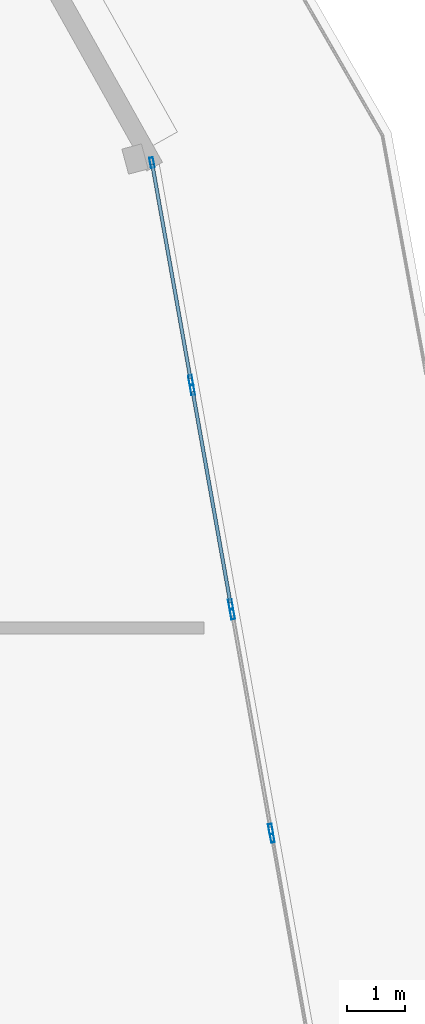
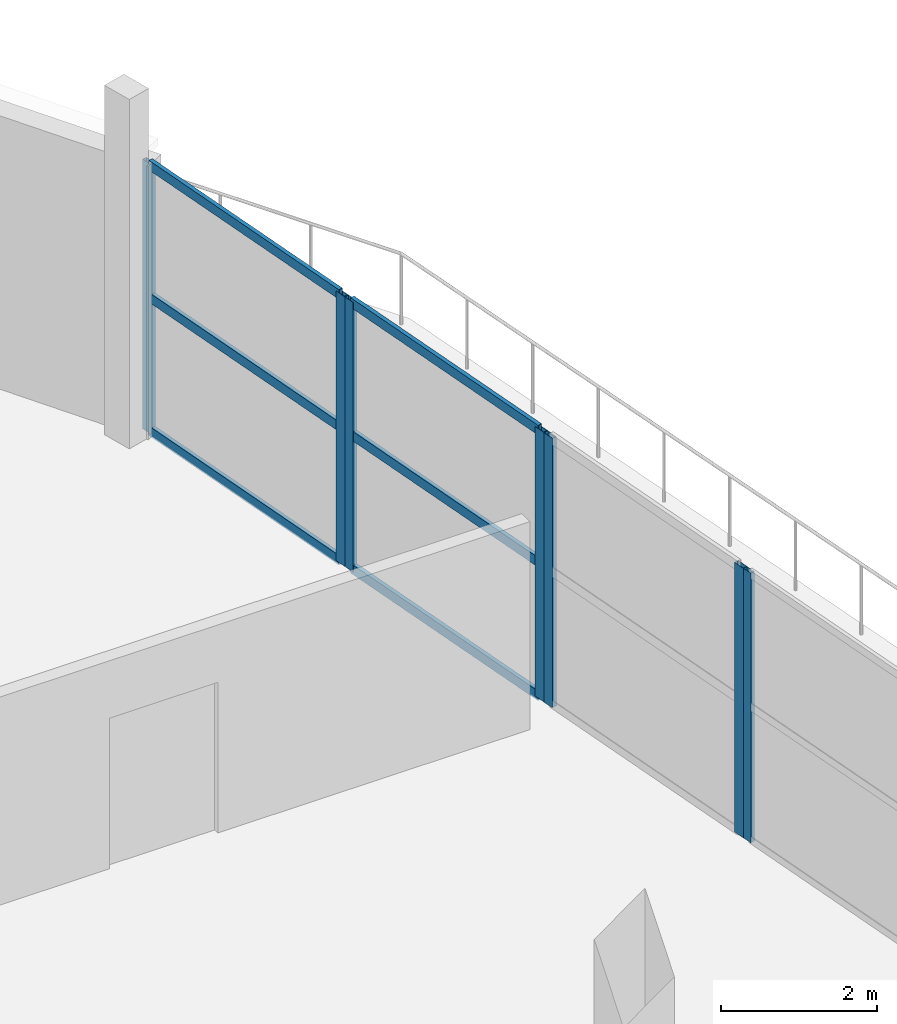
# One storey, part 68 of 123: 13 members, 4 elements without a shape of their own.
"""IFC4 building model written with IfcOpenShell, lengths in metres."""

from ifc_helpers import new_model, si_unit, direction, frame, origin, origin_2d, place, context, subcontext, project, spatial, hollow_rectangle, extrude, material, layer, layer_set, material_profile, profile_set, type_object, element, aggregate, save


model = new_model("IFC4")

# Units and contexts
model_context = context("Model", 3, precision=1e-05, world=origin(), true_north=direction((0.0, 1.0)))
body_context = subcontext(model_context, "Body", "Model", "MODEL_VIEW")
ifc_project = project(units=[si_unit("LENGTHUNIT", "METRE"), si_unit("AREAUNIT", "SQUARE_METRE"), si_unit("VOLUMEUNIT", "CUBIC_METRE"), si_unit("PLANEANGLEUNIT", "RADIAN"), si_unit("MASSUNIT", "GRAM", prefix="KILO")], contexts=[model_context])

# Site, building, storey
site_placement = place(None, origin())
site = spatial("IfcSite", under=ifc_project, at=site_placement, CompositionType="ELEMENT")
building_placement = place(site_placement, origin())
building = spatial("IfcBuilding", under=site, at=building_placement, Name="Kalgoora Escarpment Arena", CompositionType="ELEMENT")
storey_placement = place(building_placement, frame((0.0, 0.0, 9.89990234375)))
storey = spatial("IfcBuildingStorey", under=building, at=storey_placement, Name="L02", CompositionType="ELEMENT", Elevation=9.89990234375)

# Curtain wall, member
ifc_material_1 = material(Name=" Champagne anodised aluminium & double-glazed low-E", Category="aluminium")
ifc_layer_1 = layer(ifc_material_1, 0.154052734375)
ifc_layer_set_1 = layer_set([ifc_layer_1], Name="CW-UNIT-11")
curtain_wall_type_1 = type_object("IfcCurtainWallType", Name="CW-UNIT-11", PredefinedType="NOTDEFINED", material=ifc_layer_set_1)
curtain_wall_1_placement = place(storey_placement, origin())
curtain_wall_1 = element("IfcCurtainWall", 1, at=curtain_wall_1_placement, inside=storey, type_object=curtain_wall_type_1, Name="L02 unitised facade curtain wall 090", PredefinedType="NOTDEFINED")
ifc_material_2 = material(Name="Anodised aluminium 6063-T6", Category="aluminium")
ifc_material_profile_1 = material_profile(ifc_material_2, hollow_rectangle(XDim=0.06005859375, YDim=0.14990234375, WallThickness=0.00341796875, at=origin_2d()))
ifc_profile_set_1 = profile_set([ifc_material_profile_1], Name="Anodised aluminium 6063-T6")
member_type_1 = type_object("IfcMemberType", Name="MEM-CW-MULL-150", PredefinedType="MULLION", material=ifc_profile_set_1)
member_1_placement = place(storey_placement, frame((174.373779296875, 67.9541015625, 0.02001953125), z_axis=(0.0, 0.0, 1.0), x_axis=(0.984507606176, 0.175341875723, 0.0)))
member_1 = element("IfcMember", 2, at=member_1_placement, type_object=member_type_1, Name="CW-11 mullion 1", PredefinedType="MULLION", context=body_context, shape_type="SweptSolid", body=[
    extrude(hollow_rectangle(XDim=0.06005859375, YDim=0.14990234375, WallThickness=0.00341796875, at=origin_2d()), origin(), (0.0, 0.0, 1.0), 4.205078125),
])
aggregate(curtain_wall_1, [member_1])

# Curtain wall, members
ifc_material_3 = material(Name=" Champagne anodised aluminium & double-glazed low-E", Category="aluminium")
ifc_layer_2 = layer(ifc_material_3, 0.162109375)
ifc_layer_set_2 = layer_set([ifc_layer_2], Name="CW-UNIT-08")
curtain_wall_type_2 = type_object("IfcCurtainWallType", Name="CW-UNIT-08", PredefinedType="NOTDEFINED", material=ifc_layer_set_2)
curtain_wall_2_placement = place(storey_placement, origin())
curtain_wall_2 = element("IfcCurtainWall", 3, at=curtain_wall_2_placement, inside=storey, type_object=curtain_wall_type_2, Name="L02 unitised facade curtain wall 087", PredefinedType="NOTDEFINED")
ifc_material_4 = material(Name="Anodised aluminium 6063-T6", Category="aluminium")
ifc_material_profile_2 = material_profile(ifc_material_4, hollow_rectangle(XDim=0.06494140625, YDim=0.179931640625, WallThickness=0.00390625, at=origin_2d()))
ifc_profile_set_2 = profile_set([ifc_material_profile_2], Name="Anodised aluminium 6063-T6")
member_type_2 = type_object("IfcMemberType", Name="MEM-CW-MULL-180", PredefinedType="MULLION", material=ifc_profile_set_2)
member_2_placement = place(storey_placement, frame((172.2861328125, 79.6748046875, 0.02001953125), z_axis=(0.0, 0.0, 1.0), x_axis=(0.984506818355, 0.175346299115, 0.0)))
member_2 = element("IfcMember", 4, at=member_2_placement, type_object=member_type_2, Name="CW-08 mullion 1", PredefinedType="MULLION", context=body_context, shape_type="SweptSolid", body=[
    extrude(hollow_rectangle(XDim=0.06494140625, YDim=0.179931640625, WallThickness=0.00390625, at=origin_2d()), origin(), (0.0, 0.0, 1.0), 4.205078125),
])
member_3_placement = place(storey_placement, frame((172.958984375, 75.896728515625, 0.02001953125), z_axis=(0.0, 0.0, 1.0), x_axis=(0.984506818355, 0.175346299115, 0.0)))
member_3 = element("IfcMember", 5, at=member_3_placement, type_object=member_type_2, Name="CW-08 mullion 2", PredefinedType="MULLION", context=body_context, shape_type="SweptSolid", body=[
    extrude(hollow_rectangle(XDim=0.06494140625, YDim=0.179931640625, WallThickness=0.00390625, at=origin_2d()), origin(), (0.0, 0.0, 1.0), 4.205078125),
])

ifc_material_5 = material(Name=" Champagne anodised aluminium & double-glazed low-E", Category="aluminium")
ifc_layer_3 = layer(ifc_material_5, 0.166015625)
ifc_layer_set_3 = layer_set([ifc_layer_3], Name="CW-UNIT-09")
curtain_wall_type_3 = type_object("IfcCurtainWallType", Name="CW-UNIT-09", PredefinedType="NOTDEFINED", material=ifc_layer_set_3)
curtain_wall_3_placement = place(storey_placement, origin())
curtain_wall_3 = element("IfcCurtainWall", 6, at=curtain_wall_3_placement, inside=storey, type_object=curtain_wall_type_3, Name="L02 unitised facade curtain wall 088", PredefinedType="NOTDEFINED")
member_4_placement = place(storey_placement, frame((172.988037109375, 75.734130859375, 0.02001953125), z_axis=(0.0, 0.0, 1.0), x_axis=(0.984508485128, 0.175336940518, 0.0)))
member_4 = element("IfcMember", 7, at=member_4_placement, type_object=member_type_2, Name="CW-09 mullion 1", PredefinedType="MULLION", context=body_context, shape_type="SweptSolid", body=[
    extrude(hollow_rectangle(XDim=0.06494140625, YDim=0.179931640625, WallThickness=0.00390625, at=origin_2d()), origin(), (0.0, 0.0, 1.0), 4.205078125),
])
member_5_placement = place(storey_placement, frame((173.652099609375, 72.00537109375, 0.02001953125), z_axis=(0.0, 0.0, 1.0), x_axis=(0.984508485128, 0.175336940518, 0.0)))
member_5 = element("IfcMember", 8, at=member_5_placement, type_object=member_type_2, Name="CW-09 mullion 2", PredefinedType="MULLION", context=body_context, shape_type="SweptSolid", body=[
    extrude(hollow_rectangle(XDim=0.06494140625, YDim=0.179931640625, WallThickness=0.00390625, at=origin_2d()), origin(), (0.0, 0.0, 1.0), 4.205078125),
])

ifc_material_6 = material(Name=" Champagne anodised aluminium & double-glazed low-E", Category="aluminium")
ifc_layer_4 = layer(ifc_material_6, 0.14990234375)
ifc_layer_set_4 = layer_set([ifc_layer_4], Name="CW-UNIT-10")
curtain_wall_type_4 = type_object("IfcCurtainWallType", Name="CW-UNIT-10", PredefinedType="NOTDEFINED", material=ifc_layer_set_4)
curtain_wall_4_placement = place(storey_placement, origin())
curtain_wall_4 = element("IfcCurtainWall", 9, at=curtain_wall_4_placement, inside=storey, type_object=curtain_wall_type_4, Name="L02 unitised facade curtain wall 089", PredefinedType="NOTDEFINED")
member_6_placement = place(storey_placement, frame((173.68115234375, 71.843017578125, 0.02001953125), z_axis=(0.0, 0.0, 1.0), x_axis=(0.984508485128, 0.175336940518, 0.0)))
member_6 = element("IfcMember", 10, at=member_6_placement, type_object=member_type_2, Name="CW-10 mullion 1", PredefinedType="MULLION", context=body_context, shape_type="SweptSolid", body=[
    extrude(hollow_rectangle(XDim=0.06494140625, YDim=0.179931640625, WallThickness=0.00390625, at=origin_2d()), origin(), (0.0, 0.0, 1.0), 4.205078125),
])
member_7_placement = place(storey_placement, frame((174.34521484375, 68.114013671875, 0.02001953125), z_axis=(0.0, 0.0, 1.0), x_axis=(0.984508485128, 0.175336940518, 0.0)))
member_7 = element("IfcMember", 11, at=member_7_placement, type_object=member_type_2, Name="CW-10 mullion 2", PredefinedType="MULLION", context=body_context, shape_type="SweptSolid", body=[
    extrude(hollow_rectangle(XDim=0.06494140625, YDim=0.179931640625, WallThickness=0.00390625, at=origin_2d()), origin(), (0.0, 0.0, 1.0), 4.205078125),
])
aggregate(curtain_wall_4, [member_6, member_7])

# Member
ifc_material_7 = material(Name="Anodised aluminium 6063-T6", Category="aluminium")
ifc_material_profile_3 = material_profile(ifc_material_7, hollow_rectangle(XDim=0.06005859375, YDim=0.14990234375, WallThickness=0.00341796875, at=origin_2d()))
ifc_profile_set_3 = profile_set([ifc_material_profile_3], Name="Anodised aluminium 6063-T6")
member_type_3 = type_object("IfcMemberType", Name="MEM-CW-TRAN-150", PredefinedType="USERDEFINED", material=ifc_profile_set_3)
member_8_placement = place(storey_placement, frame((172.2919921875, 79.642822265625, 0.050048828125), z_axis=(0.175313533073, -0.984512653612, 0.0), x_axis=(0.984512653612, 0.175313533073, 0.0)))
member_8 = element("IfcMember", 12, at=member_8_placement, type_object=member_type_3, Name="CW-08 transom 1.1", ObjectType="TRANSOM", PredefinedType="USERDEFINED", context=body_context, shape_type="SweptSolid", body=[
    extrude(hollow_rectangle(XDim=0.06005859375, YDim=0.14990234375, WallThickness=0.00341796875, at=origin_2d()), origin(), (0.0, 0.0, 1.0), 3.7724609375),
])

member_9_placement = place(storey_placement, frame((172.2919921875, 79.642822265625, 2.132568359375), z_axis=(0.175313533073, -0.984512653612, 0.0), x_axis=(0.984512653612, 0.175313533073, 0.0)))
member_9 = element("IfcMember", 13, at=member_9_placement, type_object=member_type_3, Name="CW-08 transom 1.2", ObjectType="TRANSOM", PredefinedType="USERDEFINED", context=body_context, shape_type="SweptSolid", body=[
    extrude(hollow_rectangle(XDim=0.06005859375, YDim=0.14990234375, WallThickness=0.00341796875, at=origin_2d()), origin(), (0.0, 0.0, 1.0), 3.7724609375),
])

member_10_placement = place(storey_placement, frame((172.2919921875, 79.642822265625, 4.195068359375), z_axis=(0.175313533073, -0.984512653612, 0.0), x_axis=(0.984512653612, 0.175313533073, 0.0)))
member_10 = element("IfcMember", 14, at=member_10_placement, type_object=member_type_3, Name="CW-08 transom 1.3", ObjectType="TRANSOM", PredefinedType="USERDEFINED", context=body_context, shape_type="SweptSolid", body=[
    extrude(hollow_rectangle(XDim=0.06005859375, YDim=0.14990234375, WallThickness=0.00341796875, at=origin_2d()), origin(), (0.0, 0.0, 1.0), 3.7724609375),
])

aggregate(curtain_wall_2, [member_2, member_3, member_8, member_9, member_10])

member_11_placement = place(storey_placement, frame((172.993896484375, 75.7021484375, 0.050048828125), z_axis=(0.175311652664, -0.984512988457, 0.0), x_axis=(0.984512988457, 0.175311652664, 0.0)))
member_11 = element("IfcMember", 15, at=member_11_placement, type_object=member_type_3, Name="CW-09 transom 1.1", ObjectType="TRANSOM", PredefinedType="USERDEFINED", context=body_context, shape_type="SweptSolid", body=[
    extrude(hollow_rectangle(XDim=0.06005859375, YDim=0.14990234375, WallThickness=0.00341796875, at=origin_2d()), origin(), (0.0, 0.0, 1.0), 3.722412109375),
])

member_12_placement = place(storey_placement, frame((172.993896484375, 75.7021484375, 2.132568359375), z_axis=(0.175311652664, -0.984512988457, 0.0), x_axis=(0.984512988457, 0.175311652664, 0.0)))
member_12 = element("IfcMember", 16, at=member_12_placement, type_object=member_type_3, Name="CW-09 transom 1.2", ObjectType="TRANSOM", PredefinedType="USERDEFINED", context=body_context, shape_type="SweptSolid", body=[
    extrude(hollow_rectangle(XDim=0.06005859375, YDim=0.14990234375, WallThickness=0.00341796875, at=origin_2d()), origin(), (0.0, 0.0, 1.0), 3.722412109375),
])

member_13_placement = place(storey_placement, frame((172.993896484375, 75.7021484375, 4.195068359375), z_axis=(0.175311652664, -0.984512988457, 0.0), x_axis=(0.984512988457, 0.175311652664, 0.0)))
member_13 = element("IfcMember", 17, at=member_13_placement, type_object=member_type_3, Name="CW-09 transom 1.3", ObjectType="TRANSOM", PredefinedType="USERDEFINED", context=body_context, shape_type="SweptSolid", body=[
    extrude(hollow_rectangle(XDim=0.06005859375, YDim=0.14990234375, WallThickness=0.00341796875, at=origin_2d()), origin(), (0.0, 0.0, 1.0), 3.722412109375),
])

aggregate(curtain_wall_3, [member_4, member_5, member_11, member_12, member_13])

save(model, "model.ifc")
